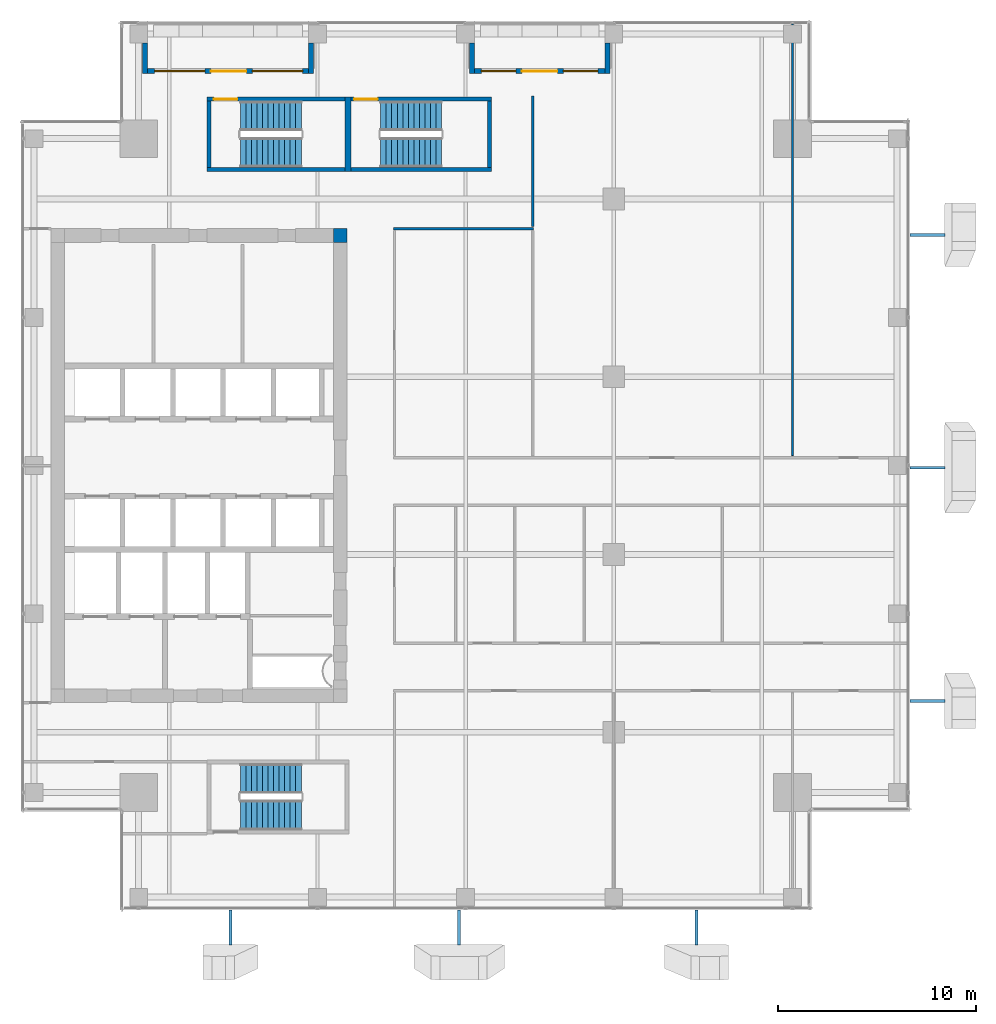
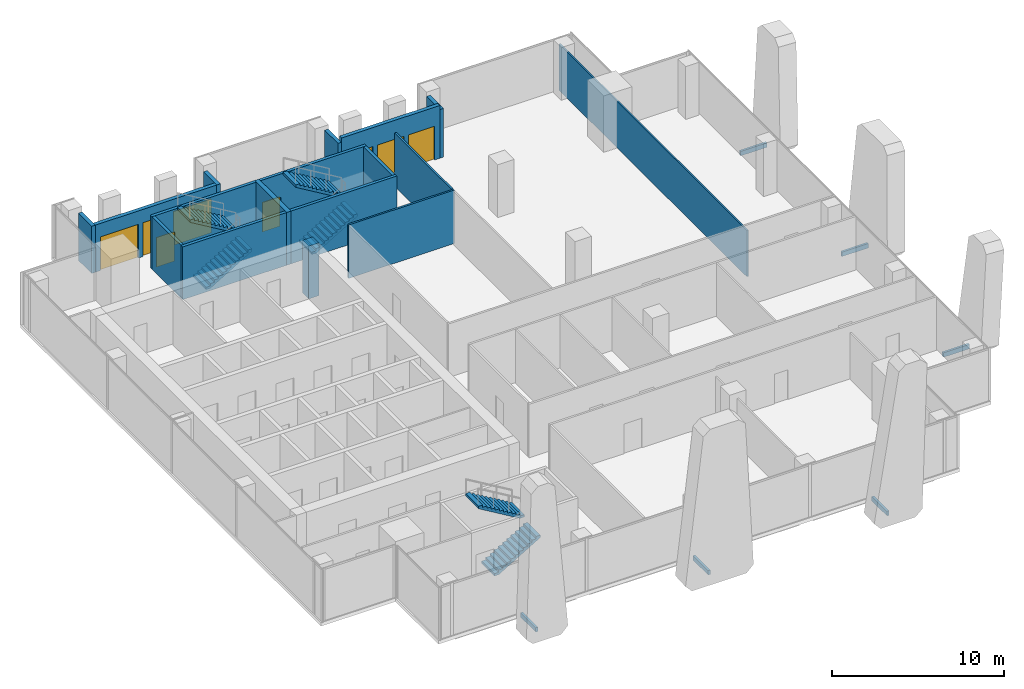
# One storey, part 33 of 36: 17 walls, 6 discrete accessories, 6 stair flights, 4 doors, 4 windows, 8 openings, 3 elements without a shape of their own.
"""IFC4 building model written with IfcOpenShell, lengths in metres."""

from ifc_helpers import new_model, si_unit, direction, frame, frame_2d, origin, origin_2d, place, context, subcontext, project, spatial, polyline, rectangle, outline, extrude, source, transform, mapped, material, layer, layer_set, type_object, element, fill, aggregate, save


model = new_model("IFC4")

# Units and contexts
model_context = context("Model", 3, precision=1e-05, world=origin(), true_north=direction((0.0, 1.0)))
body_context = subcontext(model_context, "Body", "Model", "MODEL_VIEW")
ifc_project = project(units=[si_unit("LENGTHUNIT", "METRE"), si_unit("AREAUNIT", "SQUARE_METRE"), si_unit("VOLUMEUNIT", "CUBIC_METRE"), si_unit("PLANEANGLEUNIT", "RADIAN"), si_unit("MASSUNIT", "GRAM", prefix="KILO")], contexts=[model_context])

# Site, building, storey
site_placement = place(None, origin())
site = spatial("IfcSite", under=ifc_project, at=site_placement, CompositionType="ELEMENT")
building_placement = place(site_placement, origin())
building = spatial("IfcBuilding", under=site, at=building_placement, Name="Khomas Fold Tower", CompositionType="ELEMENT")
storey_placement = place(building_placement, frame((0.0, 0.0, 238.199951171875)))
storey = spatial("IfcBuildingStorey", under=building, at=storey_placement, Name="L53", CompositionType="ELEMENT", Elevation=238.199951171875)

# Wall, opening, door
ifc_material_1 = material(Name="Concrete C50/60", Category="concrete")
ifc_layer_1 = layer(ifc_material_1, 0.199951171875)
ifc_layer_set_1 = layer_set([ifc_layer_1], Name="Concrete C50/60")
wall_type_1 = type_object("IfcWallType", Name="Stair wall 200", PredefinedType="SHEAR", material=ifc_layer_set_1)
shared_shape_1 = source(origin(), body_context, "Body", "SweptSolid", [
    extrude(rectangle(XDim=7.0, YDim=0.199951171875, at=frame_2d((3.5, 0.0))), origin(), (0.0, 0.0, 1.0), 3.75),
])
wall_1_placement = place(storey_placement, frame((13.89990234375, 45.550048828125, 0.0), z_axis=(0.0, 0.0, 1.0), x_axis=(1.0, 0.0, 0.0)))
wall_1 = element("IfcWall", 1, at=wall_1_placement, inside=storey, type_object=wall_type_1, Name="Stair wall SW-ST1-N", PredefinedType="SHEAR", context=body_context, shape_type="MappedRepresentation", body=[
    mapped(shared_shape_1, transform((0.0, 0.0, 0.0))),
])
shared_shape_2 = source(origin(), body_context, "Body", "SweptSolid", [
    extrude(rectangle(XDim=1.199951171875, YDim=2.10009765625, at=frame_2d((0.60009765625, 1.050048828125))), frame((0.0, 0.10986328125, 0.0), z_axis=(0.0, -1.0, 0.0), x_axis=(1.0, 0.0, 0.0)), (0.0, 0.0, 1.0), 0.219970703125),
])
opening_1_placement = place(wall_1_placement, frame((0.35009765625, 0.0, 0.0)))
opening_1 = element("IfcOpeningElement", 2, at=opening_1_placement, cuts=wall_1, Name="Opening SD-ST1", PredefinedType="OPENING", context=body_context, shape_type="MappedRepresentation", body=[
    mapped(shared_shape_2, transform((0.0, 0.0, 0.0))),
])
ifc_material_2 = material(Name="Steel door leaf", Category="steel")
door_type_1 = type_object("IfcDoorType", Name="Stair door 1200x2100 left-hand", OperationType="SINGLE_SWING_LEFT", PredefinedType="DOOR", material=ifc_material_2)
shared_shape_3 = source(origin(), body_context, "Body", "SweptSolid", [
    extrude(rectangle(XDim=1.199951171875, YDim=2.10009765625, at=frame_2d((0.60009765625, 1.050048828125))), frame((0.0, 0.02490234375, 0.0), z_axis=(0.0, -1.0, 0.0), x_axis=(1.0, 0.0, 0.0)), (0.0, 0.0, 1.0), 0.050048828125),
])
door_1_placement = place(opening_1_placement, origin())
door_1 = element("IfcDoor", 3, at=door_1_placement, inside=storey, type_object=door_type_1, Name="Stair door", OperationType="SINGLE_SWING_LEFT", OverallHeight=2.10009765625, OverallWidth=1.199951171875, PredefinedType="DOOR", context=body_context, shape_type="MappedRepresentation", body=[
    mapped(shared_shape_3, transform((0.0, 0.0, 0.0))),
])
fill(opening_1, door_1)

# Wall
wall_2_placement = place(storey_placement, frame((13.89990234375, 42.0, 0.0), z_axis=(0.0, 0.0, 1.0), x_axis=(1.0, 0.0, 0.0)))
element("IfcWall", 4, at=wall_2_placement, inside=storey, type_object=wall_type_1, Name="Stair wall SW-ST1-S", PredefinedType="SHEAR", context=body_context, shape_type="MappedRepresentation", body=[
    mapped(shared_shape_1, transform((0.0, 0.0, 0.0))),
])

# Wall, opening, door
shared_shape_4 = source(origin(), body_context, "Body", "SweptSolid", [
    extrude(rectangle(XDim=7.10009765625, YDim=0.199951171875, at=frame_2d((3.550048828125, 0.0))), origin(), (0.0, 0.0, 1.0), 3.75),
])
wall_3_placement = place(storey_placement, frame((21.199951171875, 45.550048828125, 0.0), z_axis=(0.0, 0.0, 1.0), x_axis=(1.0, 0.0, 0.0)))
wall_3 = element("IfcWall", 5, at=wall_3_placement, inside=storey, type_object=wall_type_1, Name="Stair wall SW-ST3-N", PredefinedType="SHEAR", context=body_context, shape_type="MappedRepresentation", body=[
    mapped(shared_shape_4, transform((0.0, 0.0, 0.0))),
])
opening_2_placement = place(wall_3_placement, frame((0.14990234375, 0.0, 0.0)))
opening_2 = element("IfcOpeningElement", 6, at=opening_2_placement, cuts=wall_3, Name="Opening SD-ST3", PredefinedType="OPENING", context=body_context, shape_type="MappedRepresentation", body=[
    mapped(shared_shape_2, transform((0.0, 0.0, 0.0))),
])
door_2_placement = place(opening_2_placement, origin())
door_2 = element("IfcDoor", 7, at=door_2_placement, inside=storey, type_object=door_type_1, Name="Stair door", OperationType="SINGLE_SWING_LEFT", OverallHeight=2.10009765625, OverallWidth=1.199951171875, PredefinedType="DOOR", context=body_context, shape_type="MappedRepresentation", body=[
    mapped(shared_shape_3, transform((0.0, 0.0, 0.0))),
])
fill(opening_2, door_2)

# Walls
wall_4_placement = place(storey_placement, frame((21.199951171875, 42.0, 0.0), z_axis=(0.0, 0.0, 1.0), x_axis=(1.0, 0.0, 0.0)))
element("IfcWall", 8, at=wall_4_placement, inside=storey, type_object=wall_type_1, Name="Stair wall SW-ST3-S", PredefinedType="SHEAR", context=body_context, shape_type="MappedRepresentation", body=[
    mapped(shared_shape_4, transform((0.0, 0.0, 0.0))),
])
ifc_material_3 = material(Name="Concrete C50/60", Category="concrete")
ifc_layer_2 = layer(ifc_material_3, 0.300048828125)
ifc_layer_set_2 = layer_set([ifc_layer_2], Name="Concrete C50/60")
wall_type_2 = type_object("IfcWallType", Name="Stair wall 300", PredefinedType="SHEAR", material=ifc_layer_set_2)
shared_shape_5 = source(origin(), body_context, "Body", "SweptSolid", [
    extrude(rectangle(XDim=3.75, YDim=0.300048828125, at=frame_2d((1.875, 0.0))), origin(), (0.0, 0.0, 1.0), 3.75),
])
wall_5_placement = place(storey_placement, frame((21.050048828125, 41.89990234375, 0.0), z_axis=(0.0, 0.0, 1.0), x_axis=(0.0, 1.0, 0.0)))
element("IfcWall", 9, at=wall_5_placement, inside=storey, type_object=wall_type_2, Name="Stair wall SW-ST1-E", PredefinedType="SHEAR", context=body_context, shape_type="MappedRepresentation", body=[
    mapped(shared_shape_5, transform((0.0, 0.0, 0.0))),
])
shared_shape_6 = source(origin(), body_context, "Body", "SweptSolid", [
    extrude(rectangle(XDim=3.349853515625, YDim=0.199951171875, at=frame_2d((1.6748046875, 0.0))), origin(), (0.0, 0.0, 1.0), 3.75),
])
for number, where, z_axis, x_axis, name in (
    (10, (14.0, 42.10009765625, 0.0), (0.0, 0.0, 1.0), (0.0, 1.0, 0.0), "Stair wall SW-ST1-W"),
    (11, (28.199951171875, 42.10009765625, 0.0), (0.0, 0.0, 1.0), (0.0, 1.0, 0.0), "Stair wall SW-ST3-E"),
):
    element("IfcWall", number, at=place(storey_placement, frame(where, z_axis=z_axis, x_axis=x_axis)), inside=storey, type_object=wall_type_1, Name=name, PredefinedType="SHEAR", context=body_context, shape_type="MappedRepresentation", body=[
        mapped(shared_shape_6, transform((0.0, 0.0, 0.0))),
    ])
ifc_material_4 = material(Name="Concrete C60/75", Category="concrete")
ifc_layer_3 = layer(ifc_material_4, 0.699951171875)
ifc_layer_set_3 = layer_set([ifc_layer_3], Name="Concrete C60/75")
wall_type_3 = type_object("IfcWallType", Name="Core corner wall 700", PredefinedType="SHEAR", material=ifc_layer_set_3)
shared_shape_7 = source(origin(), body_context, "Body", "SweptSolid", [
    extrude(rectangle(XDim=0.699951171875, YDim=0.699951171875, at=frame_2d((0.35009765625, 0.0))), origin(), (0.0, 0.0, 1.0), 3.75),
])
wall_6_placement = place(storey_placement, frame((20.300048828125, 38.64990234375, 0.0), z_axis=(0.0, 0.0, 1.0), x_axis=(1.0, 0.0, 0.0)))
element("IfcWall", 12, at=wall_6_placement, inside=storey, type_object=wall_type_3, Name="Core wall CW-U-NE-L49", PredefinedType="SHEAR", context=body_context, shape_type="MappedRepresentation", body=[
    mapped(shared_shape_7, transform((0.0, 0.0, 0.0))),
])

# Wall, openings, door, windows
ifc_material_5 = material(Name="Natural stone", Category="masonry")
ifc_layer_4 = layer(ifc_material_5, 0.0400390625)
ifc_material_6 = material(Name="Mineral wool insulation", Category="insulation")
ifc_layer_5 = layer(ifc_material_6, 0.10009765625)
ifc_material_7 = material(Name="Masonry", Category="masonry")
ifc_layer_6 = layer(ifc_material_7, 0.110107421875)
ifc_layer_set_4 = layer_set([ifc_layer_4, ifc_layer_5, ifc_layer_6], Name="Stone-faced insulated masonry")
wall_type_4 = type_object("IfcWallType", Name="BL-Balcony wall", PredefinedType="SOLIDWALL", material=ifc_layer_set_4)
shared_shape_8 = source(origin(), body_context, "Body", "SweptSolid", [
    extrude(rectangle(XDim=8.150146484375, YDim=0.25, at=frame_2d((4.0751953125, 0.0))), origin(), (0.0, 0.0, 1.0), 3.35009765625),
])
wall_7_placement = place(storey_placement, frame((10.89990234375, 46.97509765625, 0.0), z_axis=(0.0, 0.0, 1.0), x_axis=(1.0, 0.0, 0.0)))
wall_7 = element("IfcWall", 13, at=wall_7_placement, inside=storey, type_object=wall_type_4, Name="Balcony wall BAL-L53-N1", PredefinedType="SOLIDWALL", context=body_context, shape_type="MappedRepresentation", body=[
    mapped(shared_shape_8, transform((0.0, 0.0, 0.0))),
])
shared_shape_9 = source(origin(), body_context, "Body", "SweptSolid", [
    extrude(rectangle(XDim=2.550048828125, YDim=2.39990234375, at=frame_2d((1.27490234375, 1.199951171875))), frame((0.0, 0.135009765625, 0.0), z_axis=(0.0, -1.0, 0.0), x_axis=(1.0, 0.0, 0.0)), (0.0, 0.0, 1.0), 0.27001953125),
])
opening_3_placement = place(wall_7_placement, frame((0.35009765625, 0.0, 0.0)))
opening_3 = element("IfcOpeningElement", 14, at=opening_3_placement, cuts=wall_7, Name="Opening BL-W4", PredefinedType="OPENING", context=body_context, shape_type="MappedRepresentation", body=[
    mapped(shared_shape_9, transform((0.0, 0.0, 0.0))),
])
opening_4_placement = place(wall_7_placement, frame((5.300048828125, 0.0, 0.0)))
opening_4 = element("IfcOpeningElement", 15, at=opening_4_placement, cuts=wall_7, Name="Opening BL-W4", PredefinedType="OPENING", context=body_context, shape_type="MappedRepresentation", body=[
    mapped(shared_shape_9, transform((0.0, 0.0, 0.0))),
])
shared_shape_10 = source(origin(), body_context, "Body", "SweptSolid", [
    extrude(rectangle(XDim=1.800048828125, YDim=2.39990234375, at=frame_2d((0.89990234375, 1.199951171875))), frame((0.0, 0.135009765625, 0.0), z_axis=(0.0, -1.0, 0.0), x_axis=(1.0, 0.0, 0.0)), (0.0, 0.0, 1.0), 0.27001953125),
])
opening_5_placement = place(wall_7_placement, frame((3.199951171875, 0.0, 0.0)))
opening_5 = element("IfcOpeningElement", 16, at=opening_5_placement, cuts=wall_7, Name="Opening BD532", PredefinedType="OPENING", context=body_context, shape_type="MappedRepresentation", body=[
    mapped(shared_shape_10, transform((0.0, 0.0, 0.0))),
])
ifc_material_8 = material(Name="Aluminium framed double glazing", Category="aluminium")
door_type_2 = type_object("IfcDoorType", Name="BL-Glazed balcony door 1800 x 2400", OperationType="DOUBLE_DOOR_DOUBLE_SWING", PredefinedType="DOOR", material=ifc_material_8)
shared_shape_11 = source(origin(), body_context, "Body", "SweptSolid", [
    extrude(rectangle(XDim=1.800048828125, YDim=2.39990234375, at=frame_2d((0.89990234375, 1.199951171875))), frame((0.0, 0.02490234375, 0.0), z_axis=(0.0, -1.0, 0.0), x_axis=(1.0, 0.0, 0.0)), (0.0, 0.0, 1.0), 0.050048828125),
])
door_3_placement = place(opening_5_placement, origin())
door_3 = element("IfcDoor", 17, at=door_3_placement, inside=storey, type_object=door_type_2, Name="Balcony door BD532", OperationType="DOUBLE_DOOR_DOUBLE_SWING", OverallHeight=2.39990234375, OverallWidth=1.800048828125, PredefinedType="DOOR", context=body_context, shape_type="MappedRepresentation", body=[
    mapped(shared_shape_11, transform((0.0, 0.0, 0.0))),
])
fill(opening_5, door_3)
ifc_material_9 = material(Name="Aluminium framed double glazing", Category="aluminium")
window_type_1 = type_object("IfcWindowType", Name="BL-Fixed glazing 2550 x 2400", PartitioningType="SINGLE_PANEL", PredefinedType="WINDOW", material=ifc_material_9)
shared_shape_12 = source(origin(), body_context, "Body", "SweptSolid", [
    extrude(rectangle(XDim=2.550048828125, YDim=2.39990234375, at=frame_2d((1.27490234375, 1.199951171875))), frame((0.0, 0.030029296875, 0.0), z_axis=(0.0, -1.0, 0.0), x_axis=(1.0, 0.0, 0.0)), (0.0, 0.0, 1.0), 0.06005859375),
])
window_1_placement = place(opening_3_placement, origin())
window_1 = element("IfcWindow", 18, at=window_1_placement, inside=storey, type_object=window_type_1, Name="Balcony glazing BAL-L53-N1-1", OverallHeight=2.39990234375, OverallWidth=2.550048828125, PartitioningType="SINGLE_PANEL", PredefinedType="WINDOW", context=body_context, shape_type="MappedRepresentation", body=[
    mapped(shared_shape_12, transform((0.0, 0.0, 0.0))),
])
fill(opening_3, window_1)
window_2_placement = place(opening_4_placement, origin())
window_2 = element("IfcWindow", 19, at=window_2_placement, inside=storey, type_object=window_type_1, Name="Balcony glazing BAL-L53-N1-2", OverallHeight=2.39990234375, OverallWidth=2.550048828125, PartitioningType="SINGLE_PANEL", PredefinedType="WINDOW", context=body_context, shape_type="MappedRepresentation", body=[
    mapped(shared_shape_12, transform((0.0, 0.0, 0.0))),
])
fill(opening_4, window_2)

# Walls
shared_shape_13 = source(origin(), body_context, "Body", "SweptSolid", [
    extrude(rectangle(XDim=1.5498046875, YDim=0.25, at=frame_2d((0.77490234375, 0.0))), origin(), (0.0, 0.0, 1.0), 3.35009765625),
])
for number, where, z_axis, x_axis, name in (
    (20, (10.77490234375, 48.39990234375, 0.0), (0.0, 0.0, 1.0), (0.0, -1.0, 0.0), "Balcony return wall BAL-L53-N1-lo"),
    (21, (19.175048828125, 48.39990234375, 0.0), (0.0, 0.0, 1.0), (0.0, -1.0, 0.0), "Balcony return wall BAL-L53-N1-hi"),
):
    element("IfcWall", number, at=place(storey_placement, frame(where, z_axis=z_axis, x_axis=x_axis)), inside=storey, type_object=wall_type_4, Name=name, PredefinedType="SOLIDWALL", context=body_context, shape_type="MappedRepresentation", body=[
        mapped(shared_shape_13, transform((0.0, 0.0, 0.0))),
    ])

# Wall, openings, door, windows
shared_shape_14 = source(origin(), body_context, "Body", "SweptSolid", [
    extrude(rectangle(XDim=6.60009765625, YDim=0.25, at=frame_2d((3.300048828125, 0.0))), origin(), (0.0, 0.0, 1.0), 3.75),
])
wall_8_placement = place(storey_placement, frame((27.449951171875, 46.97509765625, 0.0), z_axis=(0.0, 0.0, 1.0), x_axis=(1.0, 0.0, 0.0)))
wall_8 = element("IfcWall", 22, at=wall_8_placement, inside=storey, type_object=wall_type_4, Name="Balcony wall BAL-L53-N3", PredefinedType="SOLIDWALL", context=body_context, shape_type="MappedRepresentation", body=[
    mapped(shared_shape_14, transform((0.0, 0.0, 0.0))),
])
shared_shape_15 = source(origin(), body_context, "Body", "SweptSolid", [
    extrude(rectangle(XDim=1.75, YDim=2.39990234375, at=frame_2d((0.875, 1.199951171875))), frame((0.0, 0.135009765625, 0.0), z_axis=(0.0, -1.0, 0.0), x_axis=(1.0, 0.0, 0.0)), (0.0, 0.0, 1.0), 0.27001953125),
])
opening_6_placement = place(wall_8_placement, frame((0.35009765625, 0.0, 0.0)))
opening_6 = element("IfcOpeningElement", 23, at=opening_6_placement, cuts=wall_8, Name="Opening BL-W3", PredefinedType="OPENING", context=body_context, shape_type="MappedRepresentation", body=[
    mapped(shared_shape_15, transform((0.0, 0.0, 0.0))),
])
opening_7_placement = place(wall_8_placement, frame((4.5, 0.0, 0.0)))
opening_7 = element("IfcOpeningElement", 24, at=opening_7_placement, cuts=wall_8, Name="Opening BL-W3", PredefinedType="OPENING", context=body_context, shape_type="MappedRepresentation", body=[
    mapped(shared_shape_15, transform((0.0, 0.0, 0.0))),
])
opening_8_placement = place(wall_8_placement, frame((2.39990234375, 0.0, 0.0)))
opening_8 = element("IfcOpeningElement", 25, at=opening_8_placement, cuts=wall_8, Name="Opening BD531", PredefinedType="OPENING", context=body_context, shape_type="MappedRepresentation", body=[
    mapped(shared_shape_10, transform((0.0, 0.0, 0.0))),
])
door_4_placement = place(opening_8_placement, origin())
door_4 = element("IfcDoor", 26, at=door_4_placement, inside=storey, type_object=door_type_2, Name="Balcony door BD531", OperationType="DOUBLE_DOOR_DOUBLE_SWING", OverallHeight=2.39990234375, OverallWidth=1.800048828125, PredefinedType="DOOR", context=body_context, shape_type="MappedRepresentation", body=[
    mapped(shared_shape_11, transform((0.0, 0.0, 0.0))),
])
fill(opening_8, door_4)
ifc_material_10 = material(Name="Aluminium framed double glazing", Category="aluminium")
window_type_2 = type_object("IfcWindowType", Name="BL-Fixed glazing 1750 x 2400", PartitioningType="SINGLE_PANEL", PredefinedType="WINDOW", material=ifc_material_10)
shared_shape_16 = source(origin(), body_context, "Body", "SweptSolid", [
    extrude(rectangle(XDim=1.75, YDim=2.39990234375, at=frame_2d((0.875, 1.199951171875))), frame((0.0, 0.030029296875, 0.0), z_axis=(0.0, -1.0, 0.0), x_axis=(1.0, 0.0, 0.0)), (0.0, 0.0, 1.0), 0.06005859375),
])
window_3_placement = place(opening_6_placement, origin())
window_3 = element("IfcWindow", 27, at=window_3_placement, inside=storey, type_object=window_type_2, Name="Balcony glazing BAL-L53-N3-1", OverallHeight=2.39990234375, OverallWidth=1.75, PartitioningType="SINGLE_PANEL", PredefinedType="WINDOW", context=body_context, shape_type="MappedRepresentation", body=[
    mapped(shared_shape_16, transform((0.0, 0.0, 0.0))),
])
fill(opening_6, window_3)
window_4_placement = place(opening_7_placement, origin())
window_4 = element("IfcWindow", 28, at=window_4_placement, inside=storey, type_object=window_type_2, Name="Balcony glazing BAL-L53-N3-2", OverallHeight=2.39990234375, OverallWidth=1.75, PartitioningType="SINGLE_PANEL", PredefinedType="WINDOW", context=body_context, shape_type="MappedRepresentation", body=[
    mapped(shared_shape_16, transform((0.0, 0.0, 0.0))),
])
fill(opening_7, window_4)

# Walls
shared_shape_17 = source(origin(), body_context, "Body", "SweptSolid", [
    extrude(rectangle(XDim=1.5498046875, YDim=0.25, at=frame_2d((0.77490234375, 0.0))), origin(), (0.0, 0.0, 1.0), 3.449951171875),
])
for number, where, z_axis, x_axis, name in (
    (29, (27.324951171875, 48.39990234375, 0.0), (0.0, 0.0, 1.0), (0.0, -1.0, 0.0), "Balcony return wall BAL-L53-N3-lo"),
    (30, (34.175048828125, 48.39990234375, 0.0), (0.0, 0.0, 1.0), (0.0, -1.0, 0.0), "Balcony return wall BAL-L53-N3-hi"),
):
    element("IfcWall", number, at=place(storey_placement, frame(where, z_axis=z_axis, x_axis=x_axis)), inside=storey, type_object=wall_type_4, Name=name, PredefinedType="SOLIDWALL", context=body_context, shape_type="MappedRepresentation", body=[
        mapped(shared_shape_17, transform((0.0, 0.0, 0.0))),
    ])
ifc_material_11 = material(Name="Plasterboard partition")
ifc_layer_7 = layer(ifc_material_11, 0.10009765625)
ifc_layer_set_5 = layer_set([ifc_layer_7], Name="Plasterboard partition")
wall_type_5 = type_object("IfcWallType", Name="Partition PW1 100", PredefinedType="PARTITIONING", material=ifc_layer_set_5)
shared_shape_18 = source(origin(), body_context, "Body", "SweptSolid", [
    extrude(rectangle(XDim=21.85009765625, YDim=0.10009765625, at=frame_2d((10.925048828125, 0.0))), origin(), (0.0, 0.0, 1.0), 3.300048828125),
])
wall_9_placement = place(storey_placement, frame((43.550048828125, 27.5, 0.0), z_axis=(0.0, 0.0, 1.0), x_axis=(0.0, 1.0, 0.0)))
element("IfcWall", 31, at=wall_9_placement, inside=storey, type_object=wall_type_5, Name="Partition", PredefinedType="PARTITIONING", context=body_context, shape_type="MappedRepresentation", body=[
    mapped(shared_shape_18, transform((0.0, 0.0, 0.0))),
])
ifc_material_12 = material(Name="Plasterboard partition")
ifc_layer_8 = layer(ifc_material_12, 0.125)
ifc_layer_set_6 = layer_set([ifc_layer_8], Name="Plasterboard partition")
wall_type_6 = type_object("IfcWallType", Name="Partition PW2 125", PredefinedType="PARTITIONING", material=ifc_layer_set_6)
shared_shape_19 = source(origin(), body_context, "Body", "SweptSolid", [
    extrude(rectangle(XDim=7.099853515625, YDim=0.125, at=frame_2d((3.5498046875, 0.0))), origin(), (0.0, 0.0, 1.0), 3.800048828125),
])
wall_10_placement = place(storey_placement, frame((23.35009765625, 39.0, 0.0), z_axis=(0.0, 0.0, 1.0), x_axis=(1.0, 0.0, 0.0)))
element("IfcWall", 32, at=wall_10_placement, inside=storey, type_object=wall_type_6, Name="Partition", PredefinedType="PARTITIONING", context=body_context, shape_type="MappedRepresentation", body=[
    mapped(shared_shape_19, transform((0.0, 0.0, 0.0))),
])
shared_shape_20 = source(origin(), body_context, "Body", "SweptSolid", [
    extrude(rectangle(XDim=6.599853515625, YDim=0.125, at=frame_2d((3.2998046875, 0.0))), origin(), (0.0, 0.0, 1.0), 3.800048828125),
])
wall_11_placement = place(storey_placement, frame((30.39990234375, 39.10009765625, 0.0), z_axis=(0.0, 0.0, 1.0), x_axis=(0.0, 1.0, 0.0)))
element("IfcWall", 33, at=wall_11_placement, inside=storey, type_object=wall_type_6, Name="Partition", PredefinedType="PARTITIONING", context=body_context, shape_type="MappedRepresentation", body=[
    mapped(shared_shape_20, transform((0.0, 0.0, 0.0))),
])

# Stair, stair flights
ifc_material_13 = material(Name="Concrete C40/50", Category="concrete")
stair_type_1 = type_object("IfcStairType", Name="Stair ST1", PredefinedType="HALF_TURN_STAIR", material=ifc_material_13)
stair_1_placement = place(storey_placement, origin())
stair_1 = element("IfcStair", 34, at=stair_1_placement, inside=storey, type_object=stair_type_1, Name="L53 ST1", PredefinedType="HALF_TURN_STAIR")
ifc_material_14 = material(Name="Concrete C40/50", Category="concrete")
stair_flight_type_1 = type_object("IfcStairFlightType", Name="Stair flight 1500 ST1", PredefinedType="STRAIGHT", material=ifc_material_14)
shared_shape_21 = source(origin(), body_context, "Body", "SweptSolid", [
    extrude(outline(polyline([(0.0, 0.0), (0.0, 0.012939453125), (0.0, 0.025634765625), (0.0, 0.03857421875), (0.0, 0.05126953125), (0.0, 0.064208984375), (0.0, 0.076904296875), (0.0, 0.08984375), (0.0, 0.1025390625), (0.0, 0.115478515625), (0.0, 0.128173828125), (0.0, 0.14111328125), (0.0, 0.15380859375), (0.0, 0.166748046875), (0.280029296875, 0.166748046875), (0.280029296875, 0.333251953125), (0.56005859375, 0.333251953125), (0.56005859375, 0.5), (0.840087890625, 0.5), (0.840087890625, 0.666748046875), (1.1201171875, 0.666748046875), (1.1201171875, 0.833251953125), (1.39990234375, 0.833251953125), (1.39990234375, 1.0), (1.679931640625, 1.0), (1.679931640625, 1.166748046875), (1.9599609375, 1.166748046875), (1.9599609375, 1.333251953125), (2.239990234375, 1.333251953125), (2.239990234375, 1.5), (2.52001953125, 1.5), (2.52001953125, 1.666748046875), (2.800048828125, 1.666748046875), (2.800048828125, 1.833251953125), (3.080078125, 1.833251953125), (3.080078125, 2.0), (3.080078125, 1.973876953125), (3.080078125, 1.947509765625), (3.080078125, 1.92138671875), (3.080078125, 1.89501953125), (3.080078125, 1.868896484375), (3.080078125, 1.842529296875), (3.080078125, 1.81640625), (3.080078125, 1.7900390625), (3.080078125, 1.763916015625), (3.080078125, 1.737548828125), (3.080078125, 1.71142578125), (3.080078125, 1.68505859375), (3.080078125, 1.658935546875), (0.29296875, 0.0), (0.0, 0.0)])), frame((0.0, 0.75, 0.0), z_axis=(0.0, -1.0, 0.0), x_axis=(1.0, 0.0, 0.0)), (0.0, 0.0, 1.0), 1.5),
])
stair_flight_1_placement = place(storey_placement, frame((15.60009765625, 42.85009765625, 0.0), z_axis=(0.0, 0.0, 1.0), x_axis=(1.0, 0.0, 0.0)))
stair_flight_1 = element("IfcStairFlight", 35, at=stair_flight_1_placement, type_object=stair_flight_type_1, Name="ST1 flight 1", NumberOfRisers=12, NumberOfTreads=11, PredefinedType="STRAIGHT", RiserHeight=0.166666667, TreadLength=0.28, context=body_context, shape_type="MappedRepresentation", body=[
    mapped(shared_shape_21, transform((0.0, 0.0, 0.0))),
])
stair_flight_2_placement = place(storey_placement, frame((18.679931640625, 44.699951171875, 2.0), z_axis=(0.0, 0.0, 1.0), x_axis=(-1.0, 0.0, 0.0)))
stair_flight_2 = element("IfcStairFlight", 36, at=stair_flight_2_placement, type_object=stair_flight_type_1, Name="ST1 flight 2", NumberOfRisers=12, NumberOfTreads=11, PredefinedType="STRAIGHT", RiserHeight=0.166666667, TreadLength=0.28, context=body_context, shape_type="MappedRepresentation", body=[
    mapped(shared_shape_21, transform((0.0, 0.0, 0.0))),
])
aggregate(stair_1, [stair_flight_1, stair_flight_2])

ifc_material_15 = material(Name="Concrete C40/50", Category="concrete")
stair_type_2 = type_object("IfcStairType", Name="Stair ST2", PredefinedType="HALF_TURN_STAIR", material=ifc_material_15)
stair_2_placement = place(storey_placement, origin())
stair_2 = element("IfcStair", 37, at=stair_2_placement, inside=storey, type_object=stair_type_2, Name="L53 ST2", PredefinedType="HALF_TURN_STAIR")
ifc_material_16 = material(Name="Concrete C40/50", Category="concrete")
stair_flight_type_2 = type_object("IfcStairFlightType", Name="Stair flight 1500 ST2", PredefinedType="STRAIGHT", material=ifc_material_16)
stair_flight_3_placement = place(storey_placement, frame((15.60009765625, 9.300048828125, 0.0), z_axis=(0.0, 0.0, 1.0), x_axis=(1.0, 0.0, 0.0)))
stair_flight_3 = element("IfcStairFlight", 38, at=stair_flight_3_placement, type_object=stair_flight_type_2, Name="ST2 flight 1", NumberOfRisers=12, NumberOfTreads=11, PredefinedType="STRAIGHT", RiserHeight=0.166666667, TreadLength=0.28, context=body_context, shape_type="MappedRepresentation", body=[
    mapped(shared_shape_21, transform((0.0, 0.0, 0.0))),
])
stair_flight_4_placement = place(storey_placement, frame((18.679931640625, 11.14990234375, 2.0), z_axis=(0.0, 0.0, 1.0), x_axis=(-1.0, 0.0, 0.0)))
stair_flight_4 = element("IfcStairFlight", 39, at=stair_flight_4_placement, type_object=stair_flight_type_2, Name="ST2 flight 2", NumberOfRisers=12, NumberOfTreads=11, PredefinedType="STRAIGHT", RiserHeight=0.166666667, TreadLength=0.28, context=body_context, shape_type="MappedRepresentation", body=[
    mapped(shared_shape_21, transform((0.0, 0.0, 0.0))),
])
aggregate(stair_2, [stair_flight_3, stair_flight_4])

ifc_material_17 = material(Name="Concrete C40/50", Category="concrete")
stair_type_3 = type_object("IfcStairType", Name="Stair ST3", PredefinedType="HALF_TURN_STAIR", material=ifc_material_17)
stair_3_placement = place(storey_placement, origin())
stair_3 = element("IfcStair", 40, at=stair_3_placement, inside=storey, type_object=stair_type_3, Name="L53 ST3", PredefinedType="HALF_TURN_STAIR")
ifc_material_18 = material(Name="Concrete C40/50", Category="concrete")
stair_flight_type_3 = type_object("IfcStairFlightType", Name="Stair flight 1500 ST3", PredefinedType="STRAIGHT", material=ifc_material_18)
stair_flight_5_placement = place(storey_placement, frame((22.699951171875, 42.85009765625, 0.0), z_axis=(0.0, 0.0, 1.0), x_axis=(1.0, 0.0, 0.0)))
stair_flight_5 = element("IfcStairFlight", 41, at=stair_flight_5_placement, type_object=stair_flight_type_3, Name="ST3 flight 1", NumberOfRisers=12, NumberOfTreads=11, PredefinedType="STRAIGHT", RiserHeight=0.166666667, TreadLength=0.28, context=body_context, shape_type="MappedRepresentation", body=[
    mapped(shared_shape_21, transform((0.0, 0.0, 0.0))),
])
stair_flight_6_placement = place(storey_placement, frame((25.780029296875, 44.699951171875, 2.0), z_axis=(0.0, 0.0, 1.0), x_axis=(-1.0, 0.0, 0.0)))
stair_flight_6 = element("IfcStairFlight", 42, at=stair_flight_6_placement, type_object=stair_flight_type_3, Name="ST3 flight 2", NumberOfRisers=12, NumberOfTreads=11, PredefinedType="STRAIGHT", RiserHeight=0.166666667, TreadLength=0.28, context=body_context, shape_type="MappedRepresentation", body=[
    mapped(shared_shape_21, transform((0.0, 0.0, 0.0))),
])
aggregate(stair_3, [stair_flight_5, stair_flight_6])

# Discrete accessories
ifc_material_19 = material(Name="Stainless steel", Category="steel")
discrete_accessory_type = type_object("IfcDiscreteAccessoryType", Name="SK-Stainless steel stone bracket", PredefinedType="BRACKET", material=ifc_material_19)
shared_shape_22 = source(origin(), body_context, "Body", "SweptSolid", [
    extrude(rectangle(XDim=1.76513671875, YDim=0.14990234375, at=origin_2d()), origin(), (0.0, 0.0, 1.0), 0.31005859375),
])
for number, where, z_axis, x_axis, name in (
    (43, (15.0927734375, 3.617431640625, -0.25), (0.0, 0.0, 1.0), (0.0, -1.0, 0.0), "Stone bracket L53 SS03-1-1"),
    (44, (26.675048828125, 3.617431640625, -0.25), (0.0, 0.0, 1.0), (0.0, -1.0, 0.0), "Stone bracket L53 SS06-2-1"),
    (45, (38.686279296875, 3.617431640625, -0.25), (0.0, 0.0, 1.0), (0.0, -1.0, 0.0), "Stone bracket L53 SS09-3-1"),
    (46, (50.382568359375, 15.0927734375, -0.25), (0.0, 0.0, 1.0), (1.0, 0.0, 0.0), "Stone bracket L53 ES03-1-1"),
    (47, (50.382568359375, 26.890869140625, -0.25), (0.0, 0.0, 1.0), (1.0, 0.0, 0.0), "Stone bracket L53 ES06-2-1"),
    (48, (50.382568359375, 38.686279296875, -0.25), (0.0, 0.0, 1.0), (1.0, 0.0, 0.0), "Stone bracket L53 ES09-3-1"),
):
    element("IfcDiscreteAccessory", number, at=place(storey_placement, frame(where, z_axis=z_axis, x_axis=x_axis)), inside=storey, type_object=discrete_accessory_type, Name=name, PredefinedType="BRACKET", context=body_context, shape_type="MappedRepresentation", body=[
        mapped(shared_shape_22, transform((0.0, 0.0, 0.0))),
    ])

save(model, "model.ifc")
